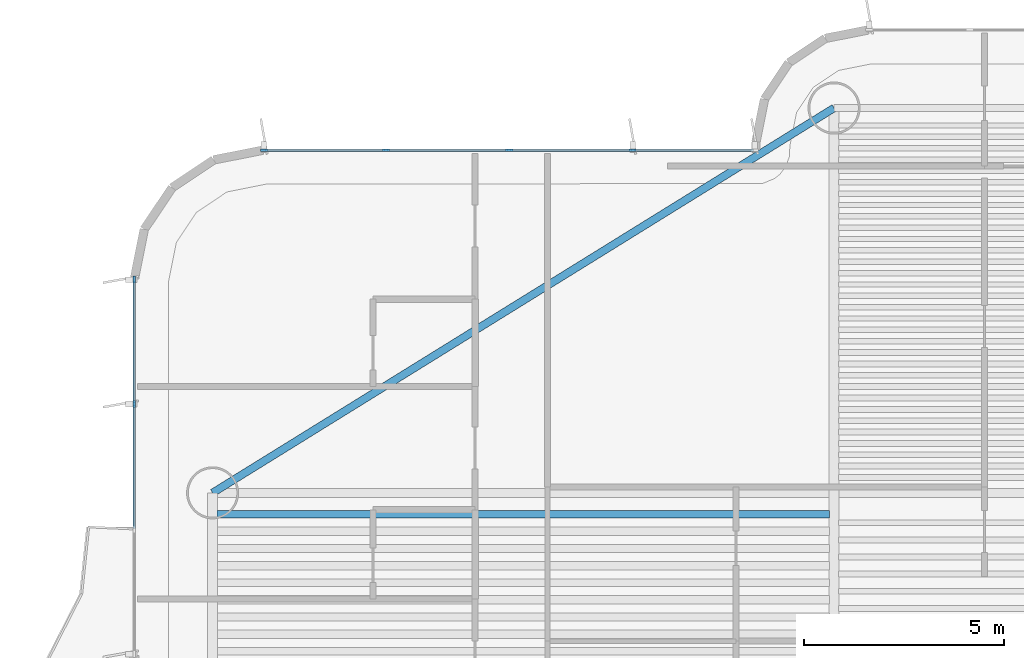
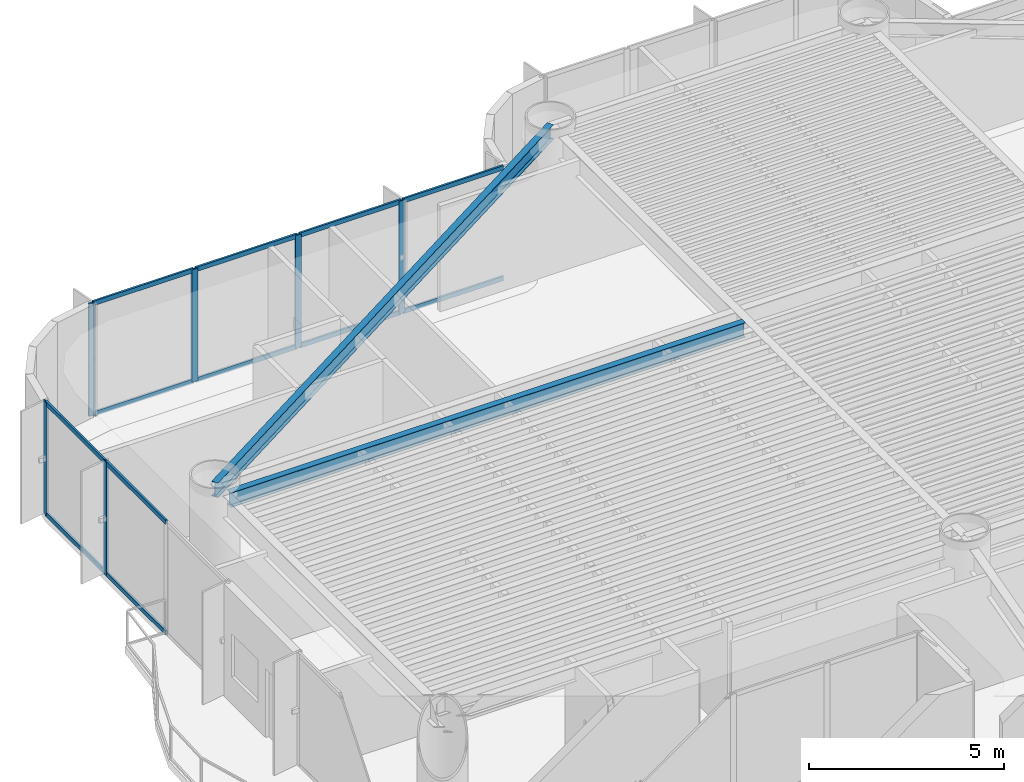
# One storey, part 5 of 17: 18 members, 2 beams, 2 elements without a shape of their own.
"""IFC4 building model written with IfcOpenShell, lengths in metres."""

from ifc_helpers import new_model, si_unit, direction, frame, origin, origin_2d, place, context, subcontext, project, spatial, rectangle, i_section, extrude, source, transform, mapped, material, layer, layer_set, material_profile, profile_set, type_object, element, aggregate, save


model = new_model("IFC4")

# Units and contexts
model_context = context("Model", 3, precision=1e-05, world=origin(), true_north=direction((0.0, 1.0)))
body_context = subcontext(model_context, "Body", "Model", "MODEL_VIEW")
ifc_project = project(units=[si_unit("LENGTHUNIT", "METRE"), si_unit("AREAUNIT", "SQUARE_METRE"), si_unit("VOLUMEUNIT", "CUBIC_METRE"), si_unit("PLANEANGLEUNIT", "RADIAN"), si_unit("MASSUNIT", "GRAM", prefix="KILO")], contexts=[model_context])

# Site, building, storey
site_placement = place(None, origin())
site = spatial("IfcSite", under=ifc_project, at=site_placement, CompositionType="ELEMENT")
building_placement = place(site_placement, origin())
building = spatial("IfcBuilding", under=site, at=building_placement, Name="Brelvock Crest Care Tower", CompositionType="ELEMENT")
storey_placement = place(building_placement, frame((0.0, 0.0, 127.6201171875)))
storey = spatial("IfcBuildingStorey", under=building, at=storey_placement, Name="L32", CompositionType="ELEMENT", Elevation=127.6201171875)

# Beams
ifc_material_1 = material(Name="Steel Grade 350", Category="steel")
ifc_material_profile_1 = material_profile(ifc_material_1, i_section(OverallWidth=0.19091796875, OverallDepth=0.4599609375, WebThickness=0.010009765625, FlangeThickness=0.01611328125, FilletRadius=0.011474609375, at=origin_2d()), Name="460UB82.1")
ifc_profile_set_1 = profile_set([ifc_material_profile_1], Name="Steel Grade 350")
beam_type_1 = type_object("IfcBeamType", Name="BM-G3", PredefinedType="BEAM", material=ifc_profile_set_1)
shared_shape_1 = source(origin(), body_context, "Body", "SweptSolid", [
    extrude(i_section(OverallWidth=0.19091796875, OverallDepth=0.4599609375, WebThickness=0.010009765625, FlangeThickness=0.01611328125, FilletRadius=0.011474609375, at=origin_2d()), origin(), (0.0, 0.0, 1.0), 15.27001953125),
])
beam_1_placement = place(storey_placement, frame((15.965087890625, 38.317626953125, 3.2998046875), z_axis=(1.0, 0.0, 0.0), x_axis=(0.0, 1.0, 0.0)))
element("IfcBeam", 1, at=beam_1_placement, inside=storey, type_object=beam_type_1, Name="BM-JW-L32-26", PredefinedType="BEAM", context=body_context, shape_type="MappedRepresentation", body=[
    mapped(shared_shape_1, transform((0.0, 0.0, 0.0), x_axis=(1.0, 0.0, 0.0), y_axis=(0.0, 1.0, 0.0), z_axis=(0.0, 0.0, 1.0), scale=1.0)),
])
ifc_material_profile_2 = material_profile(ifc_material_1, i_section(OverallWidth=0.19091796875, OverallDepth=0.4599609375, WebThickness=0.010009765625, FlangeThickness=0.01611328125, FilletRadius=0.011474609375, at=origin_2d()), Name="460UB82.1")
ifc_profile_set_2 = profile_set([ifc_material_profile_2], Name="Steel Grade 350")
beam_type_2 = type_object("IfcBeamType", Name="BM-SP2", PredefinedType="SPANDREL", material=ifc_profile_set_2)
shared_shape_2 = source(origin(), body_context, "Body", "SweptSolid", [
    extrude(i_section(OverallWidth=0.19091796875, OverallDepth=0.4599609375, WebThickness=0.010009765625, FlangeThickness=0.01611328125, FilletRadius=0.011474609375, at=origin_2d()), origin(), (0.0, 0.0, 1.0), 18.23193359375),
])
beam_2_placement = place(storey_placement, frame((15.85009765625, 38.85009765625, 3.2998046875), z_axis=(0.85015183248, 0.526537616635, 0.0), x_axis=(-0.526537616635, 0.85015183248, 0.0)))
element("IfcBeam", 2, at=beam_2_placement, inside=storey, type_object=beam_type_2, Name="BM-TWR-L32-06", PredefinedType="SPANDREL", context=body_context, shape_type="MappedRepresentation", body=[
    mapped(shared_shape_2, transform((0.0, 0.0, 0.0), x_axis=(1.0, 0.0, 0.0), y_axis=(0.0, 1.0, 0.0), z_axis=(0.0, 0.0, 1.0), scale=1.0)),
])

# Curtain wall, members
ifc_material_2 = material(Name="Dark Glass Double Glazed Low-E", Category="glass")
ifc_layer = layer(ifc_material_2, 0.2099609375, Name="CWS-3")
ifc_layer_set = layer_set([ifc_layer], Name="Dark Glass Double Glazed Low-E")
curtain_wall_type = type_object("IfcCurtainWallType", Name="CWS-3", PredefinedType="NOTDEFINED", material=ifc_layer_set)
curtain_wall_1_placement = place(storey_placement, origin())
curtain_wall_1 = element("IfcCurtainWall", 3, at=curtain_wall_1_placement, inside=storey, type_object=curtain_wall_type, Name="L32 Curtain Wall E22", PredefinedType="NOTDEFINED")
ifc_material_3 = material(Name="Aluminium 6063-T6", Category="aluminium")
ifc_material_profile_3 = material_profile(ifc_material_3, rectangle(XDim=0.06005859375, YDim=0.139892578125, at=origin_2d()), Name="ALU60x140")
ifc_profile_set_3 = profile_set([ifc_material_profile_3], Name="Aluminium 6063-T6")
member_type_1 = type_object("IfcMemberType", Name="CWT-2", PredefinedType="USERDEFINED", material=ifc_profile_set_3)
shared_shape_3 = source(origin(), body_context, "Body", "SweptSolid", [
    extrude(rectangle(XDim=0.06005859375, YDim=0.139892578125, at=origin_2d()), origin(), (0.0, 0.0, 1.0), 2.985107421875),
])
member_1_placement = place(storey_placement, frame((17.159912109375, 47.39990234375, 0.02978515625), z_axis=(1.0, 0.0, 0.0), x_axis=(0.0, 1.0, 0.0)))
member_1 = element("IfcMember", 4, at=member_1_placement, type_object=member_type_1, Name="CW-3 transom 1.1", ObjectType="TRANSOM", PredefinedType="USERDEFINED", context=body_context, shape_type="MappedRepresentation", body=[
    mapped(shared_shape_3, transform((0.0, 0.0, 0.0), x_axis=(1.0, 0.0, 0.0), y_axis=(0.0, 1.0, 0.0), z_axis=(0.0, 0.0, 1.0), scale=1.0)),
])
member_2_placement = place(storey_placement, frame((17.159912109375, 47.39990234375, 3.5), z_axis=(1.0, 0.0, 0.0), x_axis=(0.0, 1.0, 0.0)))
member_2 = element("IfcMember", 5, at=member_2_placement, type_object=member_type_1, Name="CW-3 transom 1.2", ObjectType="TRANSOM", PredefinedType="USERDEFINED", context=body_context, shape_type="MappedRepresentation", body=[
    mapped(shared_shape_3, transform((0.0, 0.0, 0.0), x_axis=(1.0, 0.0, 0.0), y_axis=(0.0, 1.0, 0.0), z_axis=(0.0, 0.0, 1.0), scale=1.0)),
])
member_3_placement = place(storey_placement, frame((26.35498046875, 47.39990234375, 0.02978515625), z_axis=(1.0, 0.0, 0.0), x_axis=(0.0, 1.0, 0.0)))
member_3 = element("IfcMember", 6, at=member_3_placement, type_object=member_type_1, Name="CW-3 transom 4.1", ObjectType="TRANSOM", PredefinedType="USERDEFINED", context=body_context, shape_type="MappedRepresentation", body=[
    mapped(shared_shape_3, transform((0.0, 0.0, 0.0), x_axis=(1.0, 0.0, 0.0), y_axis=(0.0, 1.0, 0.0), z_axis=(0.0, 0.0, 1.0), scale=1.0)),
])
member_4_placement = place(storey_placement, frame((26.35498046875, 47.39990234375, 3.5), z_axis=(1.0, 0.0, 0.0), x_axis=(0.0, 1.0, 0.0)))
member_4 = element("IfcMember", 7, at=member_4_placement, type_object=member_type_1, Name="CW-3 transom 4.2", ObjectType="TRANSOM", PredefinedType="USERDEFINED", context=body_context, shape_type="MappedRepresentation", body=[
    mapped(shared_shape_3, transform((0.0, 0.0, 0.0), x_axis=(1.0, 0.0, 0.0), y_axis=(0.0, 1.0, 0.0), z_axis=(0.0, 0.0, 1.0), scale=1.0)),
])
shared_shape_4 = source(origin(), body_context, "Body", "SweptSolid", [
    extrude(rectangle(XDim=0.06005859375, YDim=0.139892578125, at=origin_2d()), origin(), (0.0, 0.0, 1.0), 3.014892578125),
])
member_5_placement = place(storey_placement, frame((20.205078125, 47.39990234375, 0.02978515625), z_axis=(1.0, 0.0, 0.0), x_axis=(0.0, 1.0, 0.0)))
member_5 = element("IfcMember", 8, at=member_5_placement, type_object=member_type_1, Name="CW-3 transom 2.1", ObjectType="TRANSOM", PredefinedType="USERDEFINED", context=body_context, shape_type="MappedRepresentation", body=[
    mapped(shared_shape_4, transform((0.0, 0.0, 0.0), x_axis=(1.0, 0.0, 0.0), y_axis=(0.0, 1.0, 0.0), z_axis=(0.0, 0.0, 1.0), scale=1.0)),
])
member_6_placement = place(storey_placement, frame((20.205078125, 47.39990234375, 3.5), z_axis=(1.0, 0.0, 0.0), x_axis=(0.0, 1.0, 0.0)))
member_6 = element("IfcMember", 9, at=member_6_placement, type_object=member_type_1, Name="CW-3 transom 2.2", ObjectType="TRANSOM", PredefinedType="USERDEFINED", context=body_context, shape_type="MappedRepresentation", body=[
    mapped(shared_shape_4, transform((0.0, 0.0, 0.0), x_axis=(1.0, 0.0, 0.0), y_axis=(0.0, 1.0, 0.0), z_axis=(0.0, 0.0, 1.0), scale=1.0)),
])
member_7_placement = place(storey_placement, frame((23.280029296875, 47.39990234375, 0.02978515625), z_axis=(1.0, 0.0, 0.0), x_axis=(0.0, 1.0, 0.0)))
member_7 = element("IfcMember", 10, at=member_7_placement, type_object=member_type_1, Name="CW-3 transom 3.1", ObjectType="TRANSOM", PredefinedType="USERDEFINED", context=body_context, shape_type="MappedRepresentation", body=[
    mapped(shared_shape_4, transform((0.0, 0.0, 0.0), x_axis=(1.0, 0.0, 0.0), y_axis=(0.0, 1.0, 0.0), z_axis=(0.0, 0.0, 1.0), scale=1.0)),
])
member_8_placement = place(storey_placement, frame((23.280029296875, 47.39990234375, 3.5), z_axis=(1.0, 0.0, 0.0), x_axis=(0.0, 1.0, 0.0)))
member_8 = element("IfcMember", 11, at=member_8_placement, type_object=member_type_1, Name="CW-3 transom 3.2", ObjectType="TRANSOM", PredefinedType="USERDEFINED", context=body_context, shape_type="MappedRepresentation", body=[
    mapped(shared_shape_4, transform((0.0, 0.0, 0.0), x_axis=(1.0, 0.0, 0.0), y_axis=(0.0, 1.0, 0.0), z_axis=(0.0, 0.0, 1.0), scale=1.0)),
])

curtain_wall_2_placement = place(storey_placement, origin())
curtain_wall_2 = element("IfcCurtainWall", 12, at=curtain_wall_2_placement, inside=storey, type_object=curtain_wall_type, Name="L32 Curtain Wall E17B", PredefinedType="NOTDEFINED")
ifc_material_profile_4 = material_profile(ifc_material_3, rectangle(XDim=0.06005859375, YDim=0.179931640625, at=origin_2d()), Name="ALU60x180")
ifc_profile_set_4 = profile_set([ifc_material_profile_4], Name="Aluminium 6063-T6")
member_type_2 = type_object("IfcMemberType", Name="CWM-2", PredefinedType="MULLION", material=ifc_profile_set_4)
shared_shape_5 = source(origin(), body_context, "Body", "SweptSolid", [
    extrude(rectangle(XDim=0.06005859375, YDim=0.179931640625, at=origin_2d()), origin(), (0.0, 0.0, 1.0), 3.52978515625),
])
member_9_placement = place(storey_placement, frame((13.89990234375, 41.066650390625, 0.0), z_axis=(0.0, 0.0, 1.0), x_axis=(-1.0, 0.0, 0.0)))
member_9 = element("IfcMember", 13, at=member_9_placement, type_object=member_type_2, Name="CW-3 mullion 3", PredefinedType="MULLION", context=body_context, shape_type="MappedRepresentation", body=[
    mapped(shared_shape_5, transform((0.0, 0.0, 0.0), x_axis=(1.0, 0.0, 0.0), y_axis=(0.0, 1.0, 0.0), z_axis=(0.0, 0.0, 1.0), scale=1.0)),
])
member_10_placement = place(storey_placement, frame((13.89990234375, 44.169921875, 0.0), z_axis=(0.0, 0.0, 1.0), x_axis=(-1.0, 0.0, 0.0)))
member_10 = element("IfcMember", 14, at=member_10_placement, type_object=member_type_2, Name="CW-3 mullion 4", PredefinedType="MULLION", context=body_context, shape_type="MappedRepresentation", body=[
    mapped(shared_shape_5, transform((0.0, 0.0, 0.0), x_axis=(1.0, 0.0, 0.0), y_axis=(0.0, 1.0, 0.0), z_axis=(0.0, 0.0, 1.0), scale=1.0)),
])

# Member
member_11_placement = place(storey_placement, frame((17.1298828125, 47.39990234375, 0.0), z_axis=(0.0, 0.0, 1.0), x_axis=(0.0, 1.0, 0.0)))
member_11 = element("IfcMember", 15, at=member_11_placement, type_object=member_type_2, Name="CW-3 mullion 1", PredefinedType="MULLION", context=body_context, shape_type="MappedRepresentation", body=[
    mapped(shared_shape_5, transform((0.0, 0.0, 0.0), x_axis=(1.0, 0.0, 0.0), y_axis=(0.0, 1.0, 0.0), z_axis=(0.0, 0.0, 1.0), scale=1.0)),
])

member_12_placement = place(storey_placement, frame((20.175048828125, 47.39990234375, 0.0), z_axis=(0.0, 0.0, 1.0), x_axis=(0.0, 1.0, 0.0)))
member_12 = element("IfcMember", 16, at=member_12_placement, type_object=member_type_2, Name="CW-3 mullion 2", PredefinedType="MULLION", context=body_context, shape_type="MappedRepresentation", body=[
    mapped(shared_shape_5, transform((0.0, 0.0, 0.0), x_axis=(1.0, 0.0, 0.0), y_axis=(0.0, 1.0, 0.0), z_axis=(0.0, 0.0, 1.0), scale=1.0)),
])

member_13_placement = place(storey_placement, frame((23.25, 47.39990234375, 0.0), z_axis=(0.0, 0.0, 1.0), x_axis=(0.0, 1.0, 0.0)))
member_13 = element("IfcMember", 17, at=member_13_placement, type_object=member_type_2, Name="CW-3 mullion 3", PredefinedType="MULLION", context=body_context, shape_type="MappedRepresentation", body=[
    mapped(shared_shape_5, transform((0.0, 0.0, 0.0), x_axis=(1.0, 0.0, 0.0), y_axis=(0.0, 1.0, 0.0), z_axis=(0.0, 0.0, 1.0), scale=1.0)),
])

member_14_placement = place(storey_placement, frame((26.324951171875, 47.39990234375, 0.0), z_axis=(0.0, 0.0, 1.0), x_axis=(0.0, 1.0, 0.0)))
member_14 = element("IfcMember", 18, at=member_14_placement, type_object=member_type_2, Name="CW-3 mullion 4", PredefinedType="MULLION", context=body_context, shape_type="MappedRepresentation", body=[
    mapped(shared_shape_5, transform((0.0, 0.0, 0.0), x_axis=(1.0, 0.0, 0.0), y_axis=(0.0, 1.0, 0.0), z_axis=(0.0, 0.0, 1.0), scale=1.0)),
])

aggregate(curtain_wall_1, [member_11, member_12, member_13, member_14, member_1, member_2, member_5, member_6, member_7, member_8, member_3, member_4])

shared_shape_6 = source(origin(), body_context, "Body", "SweptSolid", [
    extrude(rectangle(XDim=0.06005859375, YDim=0.139892578125, at=origin_2d()), origin(), (0.0, 0.0, 1.0), 3.043212890625),
])
member_15_placement = place(storey_placement, frame((13.89990234375, 41.0966796875, 0.02978515625), z_axis=(0.0, 1.0, 0.0), x_axis=(-1.0, 0.0, 0.0)))
member_15 = element("IfcMember", 19, at=member_15_placement, type_object=member_type_1, Name="CW-3 transom 3.1", ObjectType="TRANSOM", PredefinedType="USERDEFINED", context=body_context, shape_type="MappedRepresentation", body=[
    mapped(shared_shape_6, transform((0.0, 0.0, 0.0), x_axis=(1.0, 0.0, 0.0), y_axis=(0.0, 1.0, 0.0), z_axis=(0.0, 0.0, 1.0), scale=1.0)),
])

member_16_placement = place(storey_placement, frame((13.89990234375, 41.0966796875, 3.5), z_axis=(0.0, 1.0, 0.0), x_axis=(-1.0, 0.0, 0.0)))
member_16 = element("IfcMember", 20, at=member_16_placement, type_object=member_type_1, Name="CW-3 transom 3.2", ObjectType="TRANSOM", PredefinedType="USERDEFINED", context=body_context, shape_type="MappedRepresentation", body=[
    mapped(shared_shape_6, transform((0.0, 0.0, 0.0), x_axis=(1.0, 0.0, 0.0), y_axis=(0.0, 1.0, 0.0), z_axis=(0.0, 0.0, 1.0), scale=1.0)),
])

shared_shape_7 = source(origin(), body_context, "Body", "SweptSolid", [
    extrude(rectangle(XDim=0.06005859375, YDim=0.139892578125, at=origin_2d()), origin(), (0.0, 0.0, 1.0), 3.0732421875),
])
member_17_placement = place(storey_placement, frame((13.89990234375, 37.96337890625, 0.02978515625), z_axis=(0.0, 1.0, 0.0), x_axis=(-1.0, 0.0, 0.0)))
member_17 = element("IfcMember", 21, at=member_17_placement, type_object=member_type_1, Name="CW-3 transom 2.1", ObjectType="TRANSOM", PredefinedType="USERDEFINED", context=body_context, shape_type="MappedRepresentation", body=[
    mapped(shared_shape_7, transform((0.0, 0.0, 0.0), x_axis=(1.0, 0.0, 0.0), y_axis=(0.0, 1.0, 0.0), z_axis=(0.0, 0.0, 1.0), scale=1.0)),
])

member_18_placement = place(storey_placement, frame((13.89990234375, 37.96337890625, 3.5), z_axis=(0.0, 1.0, 0.0), x_axis=(-1.0, 0.0, 0.0)))
member_18 = element("IfcMember", 22, at=member_18_placement, type_object=member_type_1, Name="CW-3 transom 2.2", ObjectType="TRANSOM", PredefinedType="USERDEFINED", context=body_context, shape_type="MappedRepresentation", body=[
    mapped(shared_shape_7, transform((0.0, 0.0, 0.0), x_axis=(1.0, 0.0, 0.0), y_axis=(0.0, 1.0, 0.0), z_axis=(0.0, 0.0, 1.0), scale=1.0)),
])

aggregate(curtain_wall_2, [member_9, member_10, member_17, member_18, member_15, member_16])

save(model, "model.ifc")
